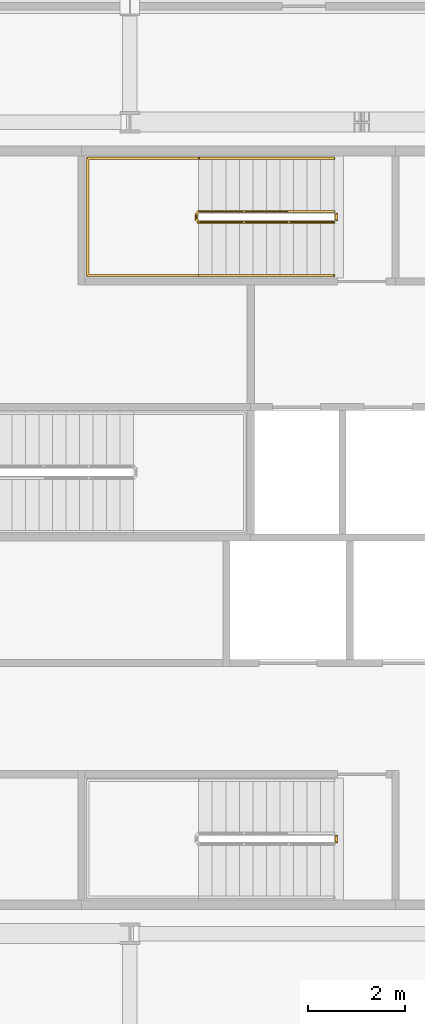
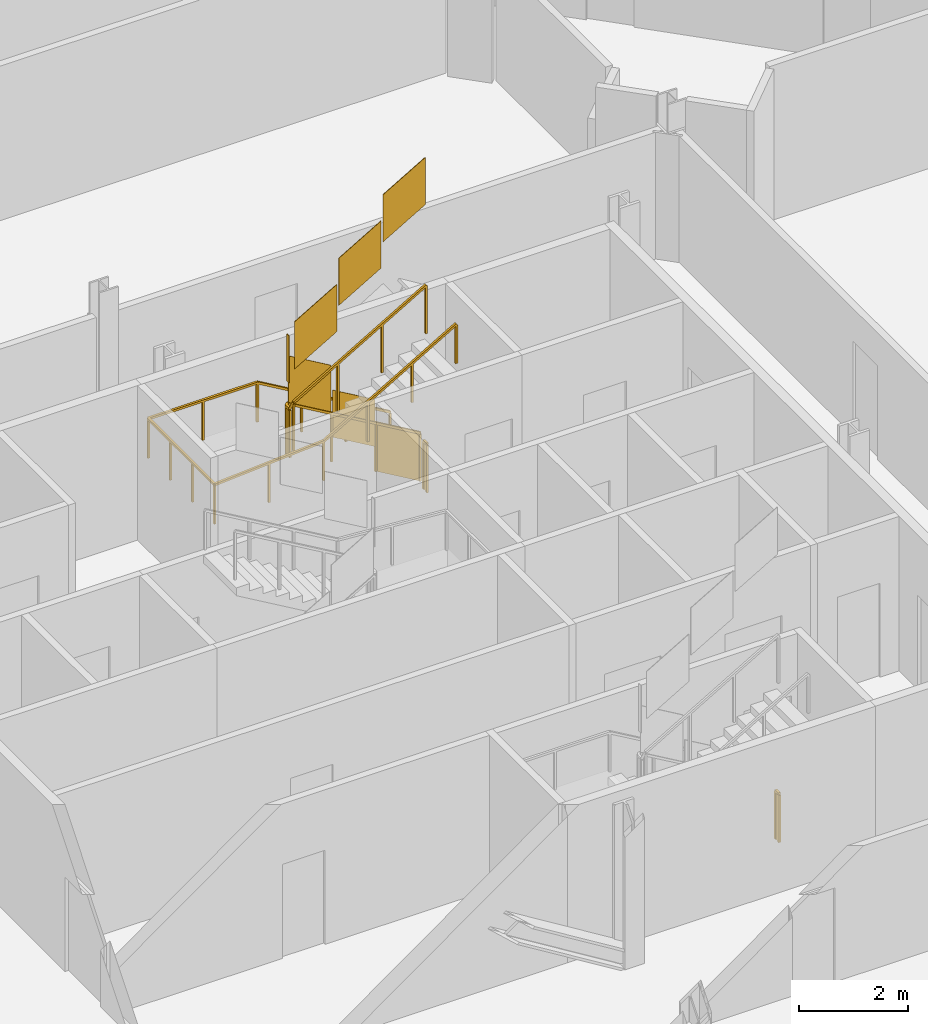
# One storey, part 19 of 22: 4 railings.
"""IFC4 building model written with IfcOpenShell, lengths in metres."""

from ifc_helpers import new_model, si_unit, direction, frame, origin, origin_2d, place, context, subcontext, project, spatial, polyline, rectangle, outline, extrude, material, type_object, element, save


model = new_model("IFC4")

# Units and contexts
model_context = context("Model", 3, precision=1e-05, world=origin(), true_north=direction((0.0, 1.0)))
body_context = subcontext(model_context, "Body", "Model", "MODEL_VIEW")
ifc_project = project(units=[si_unit("LENGTHUNIT", "METRE"), si_unit("AREAUNIT", "SQUARE_METRE"), si_unit("VOLUMEUNIT", "CUBIC_METRE"), si_unit("PLANEANGLEUNIT", "RADIAN"), si_unit("MASSUNIT", "GRAM", prefix="KILO")], contexts=[model_context])

# Site, building, storey
site_placement = place(None, origin())
site = spatial("IfcSite", under=ifc_project, at=site_placement, CompositionType="ELEMENT")
building_placement = place(site_placement, origin())
building = spatial("IfcBuilding", under=site, at=building_placement, Name="Cairn Pilgrim Tower", CompositionType="ELEMENT")
storey_placement = place(building_placement, frame((0.0, 0.0, 175.800048828125)))
storey = spatial("IfcBuildingStorey", under=building, at=storey_placement, Name="L44", CompositionType="ELEMENT", Elevation=175.800048828125)

# Railings
ifc_material = material(Name="Painted steel", Category="steel")
railing_type_1 = type_object("IfcRailingType", Name="STAIR GUARD 1100", PredefinedType="GUARDRAIL", material=ifc_material)
railing_1_placement = place(storey_placement, frame((11.47509765625, -3.97509765625, 0.0)))
element("IfcRailing", 1, at=railing_1_placement, inside=storey, type_object=railing_type_1, Name="L44 ST-A stair guard 2", PredefinedType="GUARDRAIL", context=body_context, shape_type="SweptSolid", body=[
    extrude(rectangle(XDim=0.048095703125, YDim=0.048095703125, at=origin_2d()), frame((0.0, 0.0, 1.076171875), z_axis=(0.0, -1.0, 0.0), x_axis=(1.0, 0.0, 0.0)), (0.0, 0.0, 1.0), 0.125),
    extrude(rectangle(XDim=0.0419921875, YDim=0.0419921875, at=origin_2d()), origin(), (0.0, 0.0, 1.0), 1.052001953125),
    extrude(rectangle(XDim=0.0419921875, YDim=0.0419921875, at=origin_2d()), frame((0.0, -0.125, 0.0)), (0.0, 0.0, 1.0), 1.052001953125),
    extrude(outline(polyline([(0.02099609375, 0.0), (0.10400390625, 0.0), (0.10400390625, 1.052001953125), (0.02099609375, 1.052001953125), (0.02099609375, 0.0)])), frame((0.005859375, 0.0, 0.0), z_axis=(-1.0, 0.0, 0.0), x_axis=(0.0, -1.0, 0.0)), (0.0, 0.0, 1.0), 0.011962890625),
])
railing_2_placement = place(storey_placement, frame((11.425048828125, 8.949951171875, 0.16357421875)))
element("IfcRailing", 2, at=railing_2_placement, inside=storey, type_object=railing_type_1, Name="L44 ST-C stair guard 1", PredefinedType="GUARDRAIL", context=body_context, shape_type="SweptSolid", body=[
    extrude(rectangle(XDim=0.048095703125, YDim=0.048095703125, at=origin_2d()), frame((0.0, 0.0, 1.076171875), z_axis=(-0.863360870873, 0.0, 0.504586966384), x_axis=(0.0, -1.0, 0.0)), (0.0, 0.0, 1.0), 3.2431640625),
    extrude(rectangle(XDim=0.048095703125, YDim=0.048095703125, at=origin_2d()), frame((-2.800048828125, 0.0, 2.71240234375), z_axis=(-0.707106781187, -0.707106781187, 0.0), x_axis=(0.707106781187, -0.707106781187, 0.0)), (0.0, 0.0, 1.0), 0.07080078125),
    extrude(rectangle(XDim=0.048095703125, YDim=0.048095703125, at=origin_2d()), frame((-2.85009765625, -0.050048828125, 2.71240234375), z_axis=(0.0, -1.0, 0.0), x_axis=(1.0, 0.0, 0.0)), (0.0, 0.0, 1.0), 0.125),
    extrude(rectangle(XDim=0.048095703125, YDim=0.048095703125, at=origin_2d()), frame((-2.85009765625, -0.175048828125, 2.71240234375), z_axis=(0.280916556609, -0.279546231943, 0.91811752648), x_axis=(0.705375805398, 0.708833529934, 0.0)), (0.0, 0.0, 1.0), 0.17822265625),
    extrude(rectangle(XDim=0.048095703125, YDim=0.048095703125, at=origin_2d()), frame((-2.800048828125, -0.224853515625, 2.8759765625), z_axis=(0.863393664356, 0.0, 0.504530851732), x_axis=(0.0, 1.0, 0.0)), (0.0, 0.0, 1.0), 3.2431640625),
    extrude(rectangle(XDim=0.0419921875, YDim=0.0419921875, at=origin_2d()), origin(), (0.0, 0.0, 1.0), 1.052001953125),
    extrude(rectangle(XDim=0.0419921875, YDim=0.0419921875, at=origin_2d()), frame((-0.933349609375, 0.0, 0.54541015625)), (0.0, 0.0, 1.0), 1.052001953125),
    extrude(rectangle(XDim=0.0419921875, YDim=0.0419921875, at=origin_2d()), frame((-1.86669921875, 0.0, 1.091064453125)), (0.0, 0.0, 1.0), 1.052001953125),
    extrude(rectangle(XDim=0.0419921875, YDim=0.0419921875, at=origin_2d()), frame((-2.800048828125, 0.0, 1.636474609375)), (0.0, 0.0, 1.0), 1.052001953125),
    extrude(rectangle(XDim=0.0419921875, YDim=0.0419921875, at=origin_2d()), frame((-2.85009765625, -0.050048828125, 1.636474609375)), (0.0, 0.0, 1.0), 1.052001953125),
    extrude(rectangle(XDim=0.0419921875, YDim=0.0419921875, at=origin_2d()), frame((-2.85009765625, -0.175048828125, 1.636474609375)), (0.0, 0.0, 1.0), 1.052001953125),
    extrude(rectangle(XDim=0.0419921875, YDim=0.0419921875, at=origin_2d()), frame((-2.800048828125, -0.224853515625, 1.800048828125)), (0.0, 0.0, 1.0), 1.052001953125),
    extrude(rectangle(XDim=0.0419921875, YDim=0.0419921875, at=origin_2d()), frame((-1.86669921875, -0.224853515625, 2.345458984375)), (0.0, 0.0, 1.0), 1.052001953125),
    extrude(rectangle(XDim=0.0419921875, YDim=0.0419921875, at=origin_2d()), frame((-0.933349609375, -0.224853515625, 2.890869140625)), (0.0, 0.0, 1.0), 1.052001953125),
    extrude(rectangle(XDim=0.0419921875, YDim=0.0419921875, at=origin_2d()), frame((0.0, -0.224853515625, 3.436279296875)), (0.0, 0.0, 1.0), 1.052001953125),
    extrude(outline(polyline([(0.02099609375, 0.01220703125), (0.912353515625, 0.533203125), (0.912353515625, 1.585205078125), (0.02099609375, 1.064208984375), (0.02099609375, 0.01220703125)])), frame((0.0, -0.005859375, 0.0), z_axis=(0.0, 1.0, 0.0), x_axis=(-1.0, 0.0, 0.0)), (0.0, 0.0, 1.0), 0.011962890625),
    extrude(outline(polyline([(0.02099609375, 0.557861328125), (0.912353515625, 1.07861328125), (0.912353515625, 2.130615234375), (0.02099609375, 1.60986328125), (0.02099609375, 0.557861328125)])), frame((-0.933349609375, -0.005859375, 0.54541015625), z_axis=(0.0, 1.0, 0.0), x_axis=(-1.0, 0.0, 0.0)), (0.0, 0.0, 1.0), 0.011962890625),
    extrude(outline(polyline([(0.02099609375, 1.103271484375), (0.912353515625, 1.624267578125), (0.912353515625, 2.67626953125), (0.02099609375, 2.1552734375), (0.02099609375, 1.103271484375)])), frame((-1.86669921875, -0.005859375, 1.091064453125), z_axis=(0.0, 1.0, 0.0), x_axis=(-1.0, 0.0, 0.0)), (0.0, 0.0, 1.0), 0.011962890625),
    extrude(outline(polyline([(0.02099609375, 1.636474609375), (0.10400390625, 1.636474609375), (0.10400390625, 2.6884765625), (0.02099609375, 2.6884765625), (0.02099609375, 1.636474609375)])), frame((-2.84423828125, -0.050048828125, 1.636474609375), z_axis=(-1.0, 0.0, 0.0), x_axis=(0.0, -1.0, 0.0)), (0.0, 0.0, 1.0), 0.011962890625),
    extrude(outline(polyline([(0.02099609375, 1.812255859375), (0.912353515625, 2.333251953125), (0.912353515625, 3.38525390625), (0.02099609375, 2.8642578125), (0.02099609375, 1.812255859375)])), frame((-2.800048828125, -0.21875, 1.800048828125), z_axis=(0.0, -1.0, 0.0), x_axis=(1.0, 0.0, 0.0)), (0.0, 0.0, 1.0), 0.011962890625),
    extrude(outline(polyline([(0.02099609375, 2.357666015625), (0.912353515625, 2.878662109375), (0.912353515625, 3.9306640625), (0.02099609375, 3.40966796875), (0.02099609375, 2.357666015625)])), frame((-1.86669921875, -0.21875, 2.345458984375), z_axis=(0.0, -1.0, 0.0), x_axis=(1.0, 0.0, 0.0)), (0.0, 0.0, 1.0), 0.011962890625),
    extrude(outline(polyline([(0.02099609375, 2.903076171875), (0.912353515625, 3.424072265625), (0.912353515625, 4.47607421875), (0.02099609375, 3.955078125), (0.02099609375, 2.903076171875)])), frame((-0.933349609375, -0.21875, 2.890869140625), z_axis=(0.0, -1.0, 0.0), x_axis=(1.0, 0.0, 0.0)), (0.0, 0.0, 1.0), 0.011962890625),
])
railing_3_placement = place(storey_placement, frame((11.47509765625, 8.89990234375, 0.0)))
element("IfcRailing", 3, at=railing_3_placement, inside=storey, type_object=railing_type_1, Name="L44 ST-C stair guard 2", PredefinedType="GUARDRAIL", context=body_context, shape_type="SweptSolid", body=[
    extrude(rectangle(XDim=0.048095703125, YDim=0.048095703125, at=origin_2d()), frame((0.0, 0.0, 1.076171875), z_axis=(0.0, -1.0, 0.0), x_axis=(1.0, 0.0, 0.0)), (0.0, 0.0, 1.0), 0.125),
    extrude(rectangle(XDim=0.0419921875, YDim=0.0419921875, at=origin_2d()), origin(), (0.0, 0.0, 1.0), 1.052001953125),
    extrude(rectangle(XDim=0.0419921875, YDim=0.0419921875, at=origin_2d()), frame((0.0, -0.125, 0.0)), (0.0, 0.0, 1.0), 1.052001953125),
    extrude(outline(polyline([(0.02099609375, 0.0), (0.10400390625, 0.0), (0.10400390625, 1.052001953125), (0.02099609375, 1.052001953125), (0.02099609375, 0.0)])), frame((0.005859375, 0.0, 0.0), z_axis=(-1.0, 0.0, 0.0), x_axis=(0.0, -1.0, 0.0)), (0.0, 0.0, 1.0), 0.011962890625),
])
railing_type_2 = type_object("IfcRailingType", Name="STAIR HANDRAIL 900", PredefinedType="HANDRAIL", material=ifc_material)
railing_4_placement = place(storey_placement, frame((11.425048828125, 10.050048828125, 0.16357421875)))
element("IfcRailing", 4, at=railing_4_placement, inside=storey, type_object=railing_type_2, Name="L44 ST-C stair handrail 1", PredefinedType="HANDRAIL", context=body_context, shape_type="SweptSolid", body=[
    extrude(rectangle(XDim=0.048095703125, YDim=0.048095703125, at=origin_2d()), frame((0.0, 0.0, 0.8759765625), z_axis=(-0.863360870873, 0.0, 0.504586966384), x_axis=(0.0, -1.0, 0.0)), (0.0, 0.0, 1.0), 3.2431640625),
    extrude(rectangle(XDim=0.048095703125, YDim=0.048095703125, at=origin_2d()), frame((-2.800048828125, 0.0, 2.51220703125), z_axis=(-1.0, 0.0, 0.0), x_axis=(0.0, -1.0, 0.0)), (0.0, 0.0, 1.0), 2.300048828125),
    extrude(rectangle(XDim=0.048095703125, YDim=0.048095703125, at=origin_2d()), frame((-5.10009765625, 0.0, 2.51220703125), z_axis=(0.0, -1.0, 0.0), x_axis=(1.0, 0.0, 0.0)), (0.0, 0.0, 1.0), 2.425048828125),
    extrude(rectangle(XDim=0.048095703125, YDim=0.048095703125, at=origin_2d()), frame((-5.10009765625, -2.425048828125, 2.51220703125), z_axis=(0.997480687736, 0.0, 0.070938548008), x_axis=(0.0, 1.0, 0.0)), (0.0, 0.0, 1.0), 2.305908203125),
    extrude(rectangle(XDim=0.048095703125, YDim=0.048095703125, at=origin_2d()), frame((-2.800048828125, -2.425048828125, 2.67578125), z_axis=(0.863393664356, 0.0, 0.504530851732), x_axis=(0.0, 1.0, 0.0)), (0.0, 0.0, 1.0), 3.2431640625),
    extrude(rectangle(XDim=0.0419921875, YDim=0.0419921875, at=origin_2d()), origin(), (0.0, 0.0, 1.0), 0.851806640625),
    extrude(rectangle(XDim=0.0419921875, YDim=0.0419921875, at=origin_2d()), frame((-0.933349609375, 0.0, 0.54541015625)), (0.0, 0.0, 1.0), 0.851806640625),
    extrude(rectangle(XDim=0.0419921875, YDim=0.0419921875, at=origin_2d()), frame((-1.86669921875, 0.0, 1.091064453125)), (0.0, 0.0, 1.0), 0.851806640625),
    extrude(rectangle(XDim=0.0419921875, YDim=0.0419921875, at=origin_2d()), frame((-2.800048828125, 0.0, 1.636474609375)), (0.0, 0.0, 1.0), 0.851806640625),
    extrude(rectangle(XDim=0.0419921875, YDim=0.0419921875, at=origin_2d()), frame((-3.9501953125, 0.0, 1.636474609375)), (0.0, 0.0, 1.0), 0.851806640625),
    extrude(rectangle(XDim=0.0419921875, YDim=0.0419921875, at=origin_2d()), frame((-5.10009765625, 0.0, 1.636474609375)), (0.0, 0.0, 1.0), 0.851806640625),
    extrude(rectangle(XDim=0.0419921875, YDim=0.0419921875, at=origin_2d()), frame((-5.10009765625, -0.808349609375, 1.636474609375)), (0.0, 0.0, 1.0), 0.851806640625),
    extrude(rectangle(XDim=0.0419921875, YDim=0.0419921875, at=origin_2d()), frame((-5.10009765625, -1.61669921875, 1.636474609375)), (0.0, 0.0, 1.0), 0.851806640625),
    extrude(rectangle(XDim=0.0419921875, YDim=0.0419921875, at=origin_2d()), frame((-5.10009765625, -2.425048828125, 1.636474609375)), (0.0, 0.0, 1.0), 0.851806640625),
    extrude(rectangle(XDim=0.0419921875, YDim=0.0419921875, at=origin_2d()), frame((-3.9501953125, -2.425048828125, 1.71826171875)), (0.0, 0.0, 1.0), 0.851806640625),
    extrude(rectangle(XDim=0.0419921875, YDim=0.0419921875, at=origin_2d()), frame((-2.800048828125, -2.425048828125, 1.800048828125)), (0.0, 0.0, 1.0), 0.851806640625),
    extrude(rectangle(XDim=0.0419921875, YDim=0.0419921875, at=origin_2d()), frame((-1.86669921875, -2.425048828125, 2.345458984375)), (0.0, 0.0, 1.0), 0.851806640625),
    extrude(rectangle(XDim=0.0419921875, YDim=0.0419921875, at=origin_2d()), frame((-0.933349609375, -2.425048828125, 2.890869140625)), (0.0, 0.0, 1.0), 0.851806640625),
    extrude(rectangle(XDim=0.0419921875, YDim=0.0419921875, at=origin_2d()), frame((0.0, -2.425048828125, 3.436279296875)), (0.0, 0.0, 1.0), 0.851806640625),
])

save(model, "model.ifc")
